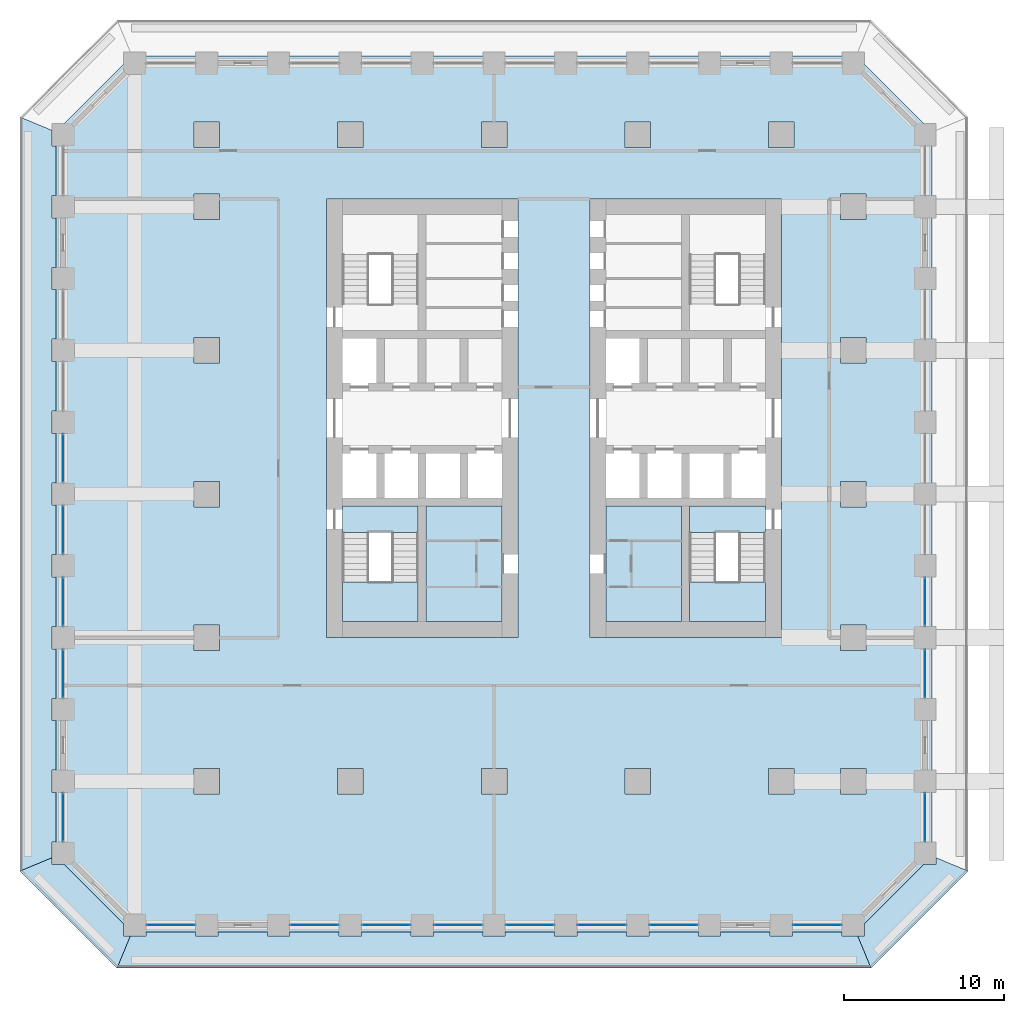
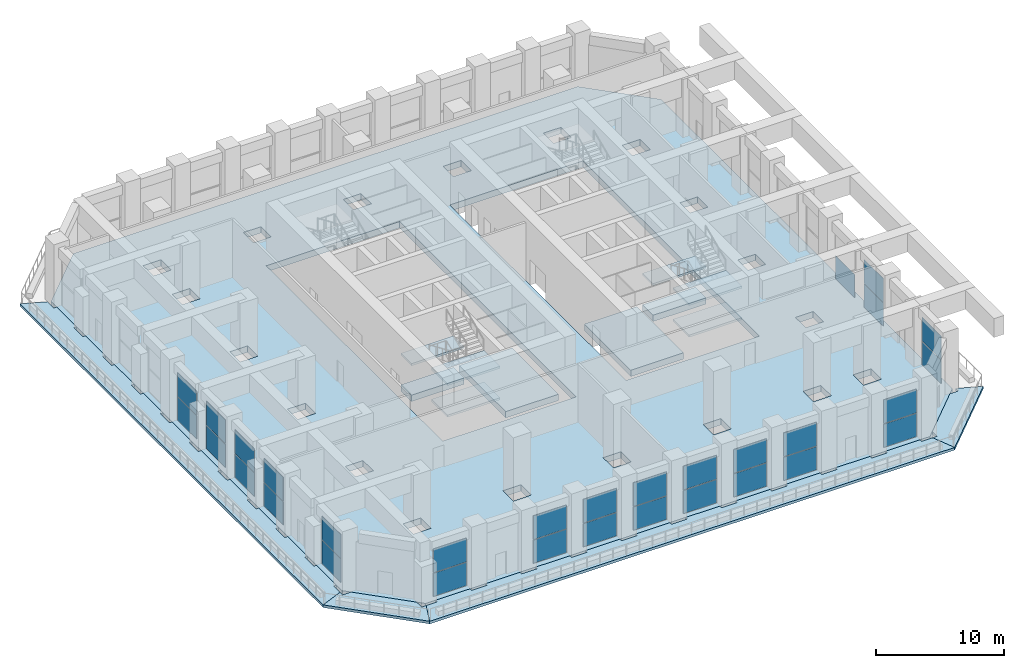
# One storey, part 10 of 21: 31 plates, 15 slabs, 18 elements without a shape of their own.
"""IFC4 building model written with IfcOpenShell, lengths in metres."""

from ifc_helpers import new_model, si_unit, direction, frame, origin, origin_2d, place, context, subcontext, project, spatial, polyline, rectangle, outline, extrude, material, layer, layer_set, type_object, element, aggregate, save


model = new_model("IFC4")

# Units and contexts
model_context = context("Model", 3, precision=1e-05, world=origin(), true_north=direction((0.0, 1.0)))
body_context = subcontext(model_context, "Body", "Model", "MODEL_VIEW")
ifc_project = project(units=[si_unit("LENGTHUNIT", "METRE"), si_unit("AREAUNIT", "SQUARE_METRE"), si_unit("VOLUMEUNIT", "CUBIC_METRE"), si_unit("PLANEANGLEUNIT", "RADIAN"), si_unit("MASSUNIT", "GRAM", prefix="KILO")], contexts=[model_context])

# Site, building, storey
site_placement = place(None, origin())
site = spatial("IfcSite", under=ifc_project, at=site_placement, CompositionType="ELEMENT")
building_placement = place(site_placement, origin())
building = spatial("IfcBuilding", under=site, at=building_placement, Name="Corbel Stack Research Tower", CompositionType="ELEMENT")
storey_placement = place(building_placement, frame((0.0, 0.0, 35.89990234375)))
storey = spatial("IfcBuildingStorey", under=building, at=storey_placement, Name="L08", CompositionType="ELEMENT", Elevation=35.89990234375)

# Curtain wall, plates
ifc_material_1 = material(Name="Aluminium frame, clear glass", Category="aluminium")
curtain_wall_type = type_object("IfcCurtainWallType", Name="Amenity floor curtain wall CW2", PredefinedType="NOTDEFINED", material=ifc_material_1)
curtain_wall_1_placement = place(storey_placement, origin())
curtain_wall_1 = element("IfcCurtainWall", 1, at=curtain_wall_1_placement, inside=storey, type_object=curtain_wall_type, Name="Curtain wall CW2 L08 S01", PredefinedType="NOTDEFINED")
ifc_material_2 = material(Name="Clear glass", Category="glass")
ifc_layer_1 = layer(ifc_material_2, 0.028076171875)
ifc_layer_set_1 = layer_set([ifc_layer_1], Name="Clear glass")
plate_type = type_object("IfcPlateType", Name="Clear glazing 28", PredefinedType="CURTAIN_PANEL", material=ifc_layer_set_1)
plate_1_placement = place(storey_placement, frame((-20.25, -27.0, 0.06005859375), z_axis=(0.0, 0.0, 1.0), x_axis=(1.0, 0.0, 0.0)))
plate_1 = element("IfcPlate", 2, at=plate_1_placement, type_object=plate_type, Name="CW2 L08 S01 panel 1.1", PredefinedType="CURTAIN_PANEL", context=body_context, shape_type="SweptSolid", body=[
    extrude(rectangle(XDim=2.97998046875, YDim=0.028076171875, at=origin_2d()), origin(), (0.0, 0.0, 1.0), 2.2099609375),
])
plate_2_placement = place(storey_placement, frame((-20.25, -27.0, 2.330078125), z_axis=(0.0, 0.0, 1.0), x_axis=(1.0, 0.0, 0.0)))
plate_2 = element("IfcPlate", 3, at=plate_2_placement, type_object=plate_type, Name="CW2 L08 S01 panel 1.2", PredefinedType="CURTAIN_PANEL", context=body_context, shape_type="SweptSolid", body=[
    extrude(rectangle(XDim=2.97998046875, YDim=0.028076171875, at=origin_2d()), origin(), (0.0, 0.0, 1.0), 2.260009765625),
])
aggregate(curtain_wall_1, [plate_1, plate_2])

curtain_wall_2_placement = place(storey_placement, origin())
curtain_wall_2 = element("IfcCurtainWall", 4, at=curtain_wall_2_placement, inside=storey, type_object=curtain_wall_type, Name="Curtain wall CW2 L08 S03", PredefinedType="NOTDEFINED")
plate_3_placement = place(storey_placement, frame((-11.25, -27.0, 0.06005859375), z_axis=(0.0, 0.0, 1.0), x_axis=(1.0, 0.0, 0.0)))
plate_3 = element("IfcPlate", 5, at=plate_3_placement, type_object=plate_type, Name="CW2 L08 S03 panel 1.1", PredefinedType="CURTAIN_PANEL", context=body_context, shape_type="SweptSolid", body=[
    extrude(rectangle(XDim=2.97998046875, YDim=0.028076171875, at=origin_2d()), origin(), (0.0, 0.0, 1.0), 2.2099609375),
])
plate_4_placement = place(storey_placement, frame((-11.25, -27.0, 2.330078125), z_axis=(0.0, 0.0, 1.0), x_axis=(1.0, 0.0, 0.0)))
plate_4 = element("IfcPlate", 6, at=plate_4_placement, type_object=plate_type, Name="CW2 L08 S03 panel 1.2", PredefinedType="CURTAIN_PANEL", context=body_context, shape_type="SweptSolid", body=[
    extrude(rectangle(XDim=2.97998046875, YDim=0.028076171875, at=origin_2d()), origin(), (0.0, 0.0, 1.0), 2.260009765625),
])
aggregate(curtain_wall_2, [plate_3, plate_4])

curtain_wall_3_placement = place(storey_placement, origin())
curtain_wall_3 = element("IfcCurtainWall", 7, at=curtain_wall_3_placement, inside=storey, type_object=curtain_wall_type, Name="Curtain wall CW2 L08 S04", PredefinedType="NOTDEFINED")
plate_5_placement = place(storey_placement, frame((-6.75, -27.0, 0.06005859375), z_axis=(0.0, 0.0, 1.0), x_axis=(1.0, 0.0, 0.0)))
plate_5 = element("IfcPlate", 8, at=plate_5_placement, type_object=plate_type, Name="CW2 L08 S04 panel 1.1", PredefinedType="CURTAIN_PANEL", context=body_context, shape_type="SweptSolid", body=[
    extrude(rectangle(XDim=2.97998046875, YDim=0.028076171875, at=origin_2d()), origin(), (0.0, 0.0, 1.0), 2.2099609375),
])
plate_6_placement = place(storey_placement, frame((-6.75, -27.0, 2.330078125), z_axis=(0.0, 0.0, 1.0), x_axis=(1.0, 0.0, 0.0)))
plate_6 = element("IfcPlate", 9, at=plate_6_placement, type_object=plate_type, Name="CW2 L08 S04 panel 1.2", PredefinedType="CURTAIN_PANEL", context=body_context, shape_type="SweptSolid", body=[
    extrude(rectangle(XDim=2.97998046875, YDim=0.028076171875, at=origin_2d()), origin(), (0.0, 0.0, 1.0), 2.260009765625),
])
aggregate(curtain_wall_3, [plate_5, plate_6])

curtain_wall_4_placement = place(storey_placement, origin())
curtain_wall_4 = element("IfcCurtainWall", 10, at=curtain_wall_4_placement, inside=storey, type_object=curtain_wall_type, Name="Curtain wall CW2 L08 S05", PredefinedType="NOTDEFINED")
plate_7_placement = place(storey_placement, frame((-2.25, -27.0, 0.06005859375), z_axis=(0.0, 0.0, 1.0), x_axis=(1.0, 0.0, 0.0)))
plate_7 = element("IfcPlate", 11, at=plate_7_placement, type_object=plate_type, Name="CW2 L08 S05 panel 1.1", PredefinedType="CURTAIN_PANEL", context=body_context, shape_type="SweptSolid", body=[
    extrude(rectangle(XDim=2.97998046875, YDim=0.028076171875, at=origin_2d()), origin(), (0.0, 0.0, 1.0), 2.2099609375),
])
plate_8_placement = place(storey_placement, frame((-2.25, -27.0, 2.330078125), z_axis=(0.0, 0.0, 1.0), x_axis=(1.0, 0.0, 0.0)))
plate_8 = element("IfcPlate", 12, at=plate_8_placement, type_object=plate_type, Name="CW2 L08 S05 panel 1.2", PredefinedType="CURTAIN_PANEL", context=body_context, shape_type="SweptSolid", body=[
    extrude(rectangle(XDim=2.97998046875, YDim=0.028076171875, at=origin_2d()), origin(), (0.0, 0.0, 1.0), 2.260009765625),
])
aggregate(curtain_wall_4, [plate_7, plate_8])

curtain_wall_5_placement = place(storey_placement, origin())
curtain_wall_5 = element("IfcCurtainWall", 13, at=curtain_wall_5_placement, inside=storey, type_object=curtain_wall_type, Name="Curtain wall CW2 L08 S06", PredefinedType="NOTDEFINED")
plate_9_placement = place(storey_placement, frame((2.25, -27.0, 0.06005859375), z_axis=(0.0, 0.0, 1.0), x_axis=(1.0, 0.0, 0.0)))
plate_9 = element("IfcPlate", 14, at=plate_9_placement, type_object=plate_type, Name="CW2 L08 S06 panel 1.1", PredefinedType="CURTAIN_PANEL", context=body_context, shape_type="SweptSolid", body=[
    extrude(rectangle(XDim=2.97998046875, YDim=0.028076171875, at=origin_2d()), origin(), (0.0, 0.0, 1.0), 2.2099609375),
])
plate_10_placement = place(storey_placement, frame((2.25, -27.0, 2.330078125), z_axis=(0.0, 0.0, 1.0), x_axis=(1.0, 0.0, 0.0)))
plate_10 = element("IfcPlate", 15, at=plate_10_placement, type_object=plate_type, Name="CW2 L08 S06 panel 1.2", PredefinedType="CURTAIN_PANEL", context=body_context, shape_type="SweptSolid", body=[
    extrude(rectangle(XDim=2.97998046875, YDim=0.028076171875, at=origin_2d()), origin(), (0.0, 0.0, 1.0), 2.260009765625),
])
aggregate(curtain_wall_5, [plate_9, plate_10])

curtain_wall_6_placement = place(storey_placement, origin())
curtain_wall_6 = element("IfcCurtainWall", 16, at=curtain_wall_6_placement, inside=storey, type_object=curtain_wall_type, Name="Curtain wall CW2 L08 S07", PredefinedType="NOTDEFINED")
plate_11_placement = place(storey_placement, frame((6.75, -27.0, 0.06005859375), z_axis=(0.0, 0.0, 1.0), x_axis=(1.0, 0.0, 0.0)))
plate_11 = element("IfcPlate", 17, at=plate_11_placement, type_object=plate_type, Name="CW2 L08 S07 panel 1.1", PredefinedType="CURTAIN_PANEL", context=body_context, shape_type="SweptSolid", body=[
    extrude(rectangle(XDim=2.97998046875, YDim=0.028076171875, at=origin_2d()), origin(), (0.0, 0.0, 1.0), 2.2099609375),
])
plate_12_placement = place(storey_placement, frame((6.75, -27.0, 2.330078125), z_axis=(0.0, 0.0, 1.0), x_axis=(1.0, 0.0, 0.0)))
plate_12 = element("IfcPlate", 18, at=plate_12_placement, type_object=plate_type, Name="CW2 L08 S07 panel 1.2", PredefinedType="CURTAIN_PANEL", context=body_context, shape_type="SweptSolid", body=[
    extrude(rectangle(XDim=2.97998046875, YDim=0.028076171875, at=origin_2d()), origin(), (0.0, 0.0, 1.0), 2.260009765625),
])
aggregate(curtain_wall_6, [plate_11, plate_12])

curtain_wall_7_placement = place(storey_placement, origin())
curtain_wall_7 = element("IfcCurtainWall", 19, at=curtain_wall_7_placement, inside=storey, type_object=curtain_wall_type, Name="Curtain wall CW2 L08 S08", PredefinedType="NOTDEFINED")
plate_13_placement = place(storey_placement, frame((11.25, -27.0, 0.06005859375), z_axis=(0.0, 0.0, 1.0), x_axis=(1.0, 0.0, 0.0)))
plate_13 = element("IfcPlate", 20, at=plate_13_placement, type_object=plate_type, Name="CW2 L08 S08 panel 1.1", PredefinedType="CURTAIN_PANEL", context=body_context, shape_type="SweptSolid", body=[
    extrude(rectangle(XDim=2.97998046875, YDim=0.028076171875, at=origin_2d()), origin(), (0.0, 0.0, 1.0), 2.2099609375),
])
plate_14_placement = place(storey_placement, frame((11.25, -27.0, 2.330078125), z_axis=(0.0, 0.0, 1.0), x_axis=(1.0, 0.0, 0.0)))
plate_14 = element("IfcPlate", 21, at=plate_14_placement, type_object=plate_type, Name="CW2 L08 S08 panel 1.2", PredefinedType="CURTAIN_PANEL", context=body_context, shape_type="SweptSolid", body=[
    extrude(rectangle(XDim=2.97998046875, YDim=0.028076171875, at=origin_2d()), origin(), (0.0, 0.0, 1.0), 2.260009765625),
])
aggregate(curtain_wall_7, [plate_13, plate_14])

curtain_wall_8_placement = place(storey_placement, origin())
curtain_wall_8 = element("IfcCurtainWall", 22, at=curtain_wall_8_placement, inside=storey, type_object=curtain_wall_type, Name="Curtain wall CW2 L08 S10", PredefinedType="NOTDEFINED")
plate_15_placement = place(storey_placement, frame((20.25, -27.0, 0.06005859375), z_axis=(0.0, 0.0, 1.0), x_axis=(1.0, 0.0, 0.0)))
plate_15 = element("IfcPlate", 23, at=plate_15_placement, type_object=plate_type, Name="CW2 L08 S10 panel 1.1", PredefinedType="CURTAIN_PANEL", context=body_context, shape_type="SweptSolid", body=[
    extrude(rectangle(XDim=2.97998046875, YDim=0.028076171875, at=origin_2d()), origin(), (0.0, 0.0, 1.0), 2.2099609375),
])
plate_16_placement = place(storey_placement, frame((20.25, -27.0, 2.330078125), z_axis=(0.0, 0.0, 1.0), x_axis=(1.0, 0.0, 0.0)))
plate_16 = element("IfcPlate", 24, at=plate_16_placement, type_object=plate_type, Name="CW2 L08 S10 panel 1.2", PredefinedType="CURTAIN_PANEL", context=body_context, shape_type="SweptSolid", body=[
    extrude(rectangle(XDim=2.97998046875, YDim=0.028076171875, at=origin_2d()), origin(), (0.0, 0.0, 1.0), 2.260009765625),
])
aggregate(curtain_wall_8, [plate_15, plate_16])

curtain_wall_9_placement = place(storey_placement, origin())
curtain_wall_9 = element("IfcCurtainWall", 25, at=curtain_wall_9_placement, inside=storey, type_object=curtain_wall_type, Name="Curtain wall CW2 L08 E01", PredefinedType="NOTDEFINED")
plate_17_placement = place(storey_placement, frame((27.0, -20.25, 0.06005859375), z_axis=(0.0, 0.0, 1.0), x_axis=(0.0, 1.0, 0.0)))
plate_17 = element("IfcPlate", 26, at=plate_17_placement, type_object=plate_type, Name="CW2 L08 E01 panel 1.1", PredefinedType="CURTAIN_PANEL", context=body_context, shape_type="SweptSolid", body=[
    extrude(rectangle(XDim=2.97998046875, YDim=0.028076171875, at=origin_2d()), origin(), (0.0, 0.0, 1.0), 2.2099609375),
])
plate_18_placement = place(storey_placement, frame((27.0, -20.25, 2.330078125), z_axis=(0.0, 0.0, 1.0), x_axis=(0.0, 1.0, 0.0)))
plate_18 = element("IfcPlate", 27, at=plate_18_placement, type_object=plate_type, Name="CW2 L08 E01 panel 1.2", PredefinedType="CURTAIN_PANEL", context=body_context, shape_type="SweptSolid", body=[
    extrude(rectangle(XDim=2.97998046875, YDim=0.028076171875, at=origin_2d()), origin(), (0.0, 0.0, 1.0), 2.260009765625),
])
aggregate(curtain_wall_9, [plate_17, plate_18])

curtain_wall_10_placement = place(storey_placement, origin())
curtain_wall_10 = element("IfcCurtainWall", 28, at=curtain_wall_10_placement, inside=storey, type_object=curtain_wall_type, Name="Curtain wall CW2 L08 E03", PredefinedType="NOTDEFINED")
plate_19_placement = place(storey_placement, frame((27.0, -11.25, 0.06005859375), z_axis=(0.0, 0.0, 1.0), x_axis=(0.0, 1.0, 0.0)))
plate_19 = element("IfcPlate", 29, at=plate_19_placement, type_object=plate_type, Name="CW2 L08 E03 panel 1.1", PredefinedType="CURTAIN_PANEL", context=body_context, shape_type="SweptSolid", body=[
    extrude(rectangle(XDim=2.97998046875, YDim=0.028076171875, at=origin_2d()), origin(), (0.0, 0.0, 1.0), 2.2099609375),
])
plate_20_placement = place(storey_placement, frame((27.0, -11.25, 2.330078125), z_axis=(0.0, 0.0, 1.0), x_axis=(0.0, 1.0, 0.0)))
plate_20 = element("IfcPlate", 30, at=plate_20_placement, type_object=plate_type, Name="CW2 L08 E03 panel 1.2", PredefinedType="CURTAIN_PANEL", context=body_context, shape_type="SweptSolid", body=[
    extrude(rectangle(XDim=2.97998046875, YDim=0.028076171875, at=origin_2d()), origin(), (0.0, 0.0, 1.0), 2.260009765625),
])
aggregate(curtain_wall_10, [plate_19, plate_20])

# Curtain wall, plate
curtain_wall_11_placement = place(storey_placement, origin())
curtain_wall_11 = element("IfcCurtainWall", 31, at=curtain_wall_11_placement, inside=storey, type_object=curtain_wall_type, Name="Curtain wall CW2 L08 E04", PredefinedType="NOTDEFINED")
plate_21_placement = place(storey_placement, frame((27.0, -6.75, 0.06005859375), z_axis=(0.0, 0.0, 1.0), x_axis=(0.0, 1.0, 0.0)))
plate_21 = element("IfcPlate", 32, at=plate_21_placement, type_object=plate_type, Name="CW2 L08 E04 panel 1.1", PredefinedType="CURTAIN_PANEL", context=body_context, shape_type="SweptSolid", body=[
    extrude(rectangle(XDim=2.97998046875, YDim=0.028076171875, at=origin_2d()), origin(), (0.0, 0.0, 1.0), 2.2099609375),
])
aggregate(curtain_wall_11, [plate_21])

# Curtain wall, plates
curtain_wall_12_placement = place(storey_placement, origin())
curtain_wall_12 = element("IfcCurtainWall", 33, at=curtain_wall_12_placement, inside=storey, type_object=curtain_wall_type, Name="Curtain wall CW2 L08 W05", PredefinedType="NOTDEFINED")
plate_22_placement = place(storey_placement, frame((-27.0, 2.25, 0.06005859375), z_axis=(0.0, 0.0, 1.0), x_axis=(0.0, -1.0, 0.0)))
plate_22 = element("IfcPlate", 34, at=plate_22_placement, type_object=plate_type, Name="CW2 L08 W05 panel 1.1", PredefinedType="CURTAIN_PANEL", context=body_context, shape_type="SweptSolid", body=[
    extrude(rectangle(XDim=2.97998046875, YDim=0.028076171875, at=origin_2d()), origin(), (0.0, 0.0, 1.0), 2.2099609375),
])
plate_23_placement = place(storey_placement, frame((-27.0, 2.25, 2.330078125), z_axis=(0.0, 0.0, 1.0), x_axis=(0.0, -1.0, 0.0)))
plate_23 = element("IfcPlate", 35, at=plate_23_placement, type_object=plate_type, Name="CW2 L08 W05 panel 1.2", PredefinedType="CURTAIN_PANEL", context=body_context, shape_type="SweptSolid", body=[
    extrude(rectangle(XDim=2.97998046875, YDim=0.028076171875, at=origin_2d()), origin(), (0.0, 0.0, 1.0), 2.260009765625),
])
aggregate(curtain_wall_12, [plate_22, plate_23])

curtain_wall_13_placement = place(storey_placement, origin())
curtain_wall_13 = element("IfcCurtainWall", 36, at=curtain_wall_13_placement, inside=storey, type_object=curtain_wall_type, Name="Curtain wall CW2 L08 W06", PredefinedType="NOTDEFINED")
plate_24_placement = place(storey_placement, frame((-27.0, -2.25, 0.06005859375), z_axis=(0.0, 0.0, 1.0), x_axis=(0.0, -1.0, 0.0)))
plate_24 = element("IfcPlate", 37, at=plate_24_placement, type_object=plate_type, Name="CW2 L08 W06 panel 1.1", PredefinedType="CURTAIN_PANEL", context=body_context, shape_type="SweptSolid", body=[
    extrude(rectangle(XDim=2.97998046875, YDim=0.028076171875, at=origin_2d()), origin(), (0.0, 0.0, 1.0), 2.2099609375),
])
plate_25_placement = place(storey_placement, frame((-27.0, -2.25, 2.330078125), z_axis=(0.0, 0.0, 1.0), x_axis=(0.0, -1.0, 0.0)))
plate_25 = element("IfcPlate", 38, at=plate_25_placement, type_object=plate_type, Name="CW2 L08 W06 panel 1.2", PredefinedType="CURTAIN_PANEL", context=body_context, shape_type="SweptSolid", body=[
    extrude(rectangle(XDim=2.97998046875, YDim=0.028076171875, at=origin_2d()), origin(), (0.0, 0.0, 1.0), 2.260009765625),
])
aggregate(curtain_wall_13, [plate_24, plate_25])

curtain_wall_14_placement = place(storey_placement, origin())
curtain_wall_14 = element("IfcCurtainWall", 39, at=curtain_wall_14_placement, inside=storey, type_object=curtain_wall_type, Name="Curtain wall CW2 L08 W07", PredefinedType="NOTDEFINED")
plate_26_placement = place(storey_placement, frame((-27.0, -6.75, 0.06005859375), z_axis=(0.0, 0.0, 1.0), x_axis=(0.0, -1.0, 0.0)))
plate_26 = element("IfcPlate", 40, at=plate_26_placement, type_object=plate_type, Name="CW2 L08 W07 panel 1.1", PredefinedType="CURTAIN_PANEL", context=body_context, shape_type="SweptSolid", body=[
    extrude(rectangle(XDim=2.97998046875, YDim=0.028076171875, at=origin_2d()), origin(), (0.0, 0.0, 1.0), 2.2099609375),
])
plate_27_placement = place(storey_placement, frame((-27.0, -6.75, 2.330078125), z_axis=(0.0, 0.0, 1.0), x_axis=(0.0, -1.0, 0.0)))
plate_27 = element("IfcPlate", 41, at=plate_27_placement, type_object=plate_type, Name="CW2 L08 W07 panel 1.2", PredefinedType="CURTAIN_PANEL", context=body_context, shape_type="SweptSolid", body=[
    extrude(rectangle(XDim=2.97998046875, YDim=0.028076171875, at=origin_2d()), origin(), (0.0, 0.0, 1.0), 2.260009765625),
])
aggregate(curtain_wall_14, [plate_26, plate_27])

curtain_wall_15_placement = place(storey_placement, origin())
curtain_wall_15 = element("IfcCurtainWall", 42, at=curtain_wall_15_placement, inside=storey, type_object=curtain_wall_type, Name="Curtain wall CW2 L08 W08", PredefinedType="NOTDEFINED")
plate_28_placement = place(storey_placement, frame((-27.0, -11.25, 0.06005859375), z_axis=(0.0, 0.0, 1.0), x_axis=(0.0, -1.0, 0.0)))
plate_28 = element("IfcPlate", 43, at=plate_28_placement, type_object=plate_type, Name="CW2 L08 W08 panel 1.1", PredefinedType="CURTAIN_PANEL", context=body_context, shape_type="SweptSolid", body=[
    extrude(rectangle(XDim=2.97998046875, YDim=0.028076171875, at=origin_2d()), origin(), (0.0, 0.0, 1.0), 2.2099609375),
])
plate_29_placement = place(storey_placement, frame((-27.0, -11.25, 2.330078125), z_axis=(0.0, 0.0, 1.0), x_axis=(0.0, -1.0, 0.0)))
plate_29 = element("IfcPlate", 44, at=plate_29_placement, type_object=plate_type, Name="CW2 L08 W08 panel 1.2", PredefinedType="CURTAIN_PANEL", context=body_context, shape_type="SweptSolid", body=[
    extrude(rectangle(XDim=2.97998046875, YDim=0.028076171875, at=origin_2d()), origin(), (0.0, 0.0, 1.0), 2.260009765625),
])
aggregate(curtain_wall_15, [plate_28, plate_29])

curtain_wall_16_placement = place(storey_placement, origin())
curtain_wall_16 = element("IfcCurtainWall", 45, at=curtain_wall_16_placement, inside=storey, type_object=curtain_wall_type, Name="Curtain wall CW2 L08 W10", PredefinedType="NOTDEFINED")
plate_30_placement = place(storey_placement, frame((-27.0, -20.25, 0.06005859375), z_axis=(0.0, 0.0, 1.0), x_axis=(0.0, -1.0, 0.0)))
plate_30 = element("IfcPlate", 46, at=plate_30_placement, type_object=plate_type, Name="CW2 L08 W10 panel 1.1", PredefinedType="CURTAIN_PANEL", context=body_context, shape_type="SweptSolid", body=[
    extrude(rectangle(XDim=2.97998046875, YDim=0.028076171875, at=origin_2d()), origin(), (0.0, 0.0, 1.0), 2.2099609375),
])
plate_31_placement = place(storey_placement, frame((-27.0, -20.25, 2.330078125), z_axis=(0.0, 0.0, 1.0), x_axis=(0.0, -1.0, 0.0)))
plate_31 = element("IfcPlate", 47, at=plate_31_placement, type_object=plate_type, Name="CW2 L08 W10 panel 1.2", PredefinedType="CURTAIN_PANEL", context=body_context, shape_type="SweptSolid", body=[
    extrude(rectangle(XDim=2.97998046875, YDim=0.028076171875, at=origin_2d()), origin(), (0.0, 0.0, 1.0), 2.260009765625),
])
aggregate(curtain_wall_16, [plate_30, plate_31])

# Slabs
ifc_material_3 = material(Name="Concrete C45/55", Category="concrete")
ifc_layer_2 = layer(ifc_material_3, 0.25)
ifc_layer_set_2 = layer_set([ifc_layer_2], Name="Concrete C45/55")
slab_type_1 = type_object("IfcSlabType", Name="PT balcony slab 250 C45/55", PredefinedType="FLOOR", material=ifc_layer_set_2)
slab_1_placement = place(storey_placement, frame((0.0, 0.0, -0.25)))
element("IfcSlab", 48, at=slab_1_placement, inside=storey, type_object=slab_type_1, Name="Loggia slab L08 S", PredefinedType="FLOOR", context=body_context, shape_type="SweptSolid", body=[
    extrude(outline(polyline([(22.789794921875, -27.699951171875), (21.800048828125, -27.699951171875), (21.800048828125, -27.449951171875), (18.699951171875, -27.449951171875), (18.699951171875, -27.699951171875), (17.300048828125, -27.699951171875), (17.300048828125, -27.449951171875), (14.199951171875, -27.449951171875), (14.199951171875, -27.699951171875), (12.800048828125, -27.699951171875), (12.800048828125, -27.449951171875), (9.699951171875, -27.449951171875), (9.699951171875, -27.699951171875), (8.300048828125, -27.699951171875), (8.300048828125, -27.449951171875), (5.199951171875, -27.449951171875), (5.199951171875, -27.699951171875), (3.800048828125, -27.699951171875), (3.800048828125, -27.449951171875), (0.699951171875, -27.449951171875), (0.699951171875, -27.699951171875), (-0.699951171875, -27.699951171875), (-0.699951171875, -27.449951171875), (-3.800048828125, -27.449951171875), (-3.800048828125, -27.699951171875), (-5.199951171875, -27.699951171875), (-5.199951171875, -27.449951171875), (-8.300048828125, -27.449951171875), (-8.300048828125, -27.699951171875), (-9.699951171875, -27.699951171875), (-9.699951171875, -27.449951171875), (-12.800048828125, -27.449951171875), (-12.800048828125, -27.699951171875), (-14.199951171875, -27.699951171875), (-14.199951171875, -27.449951171875), (-17.300048828125, -27.449951171875), (-17.300048828125, -27.699951171875), (-18.699951171875, -27.699951171875), (-18.699951171875, -27.449951171875), (-21.800048828125, -27.449951171875), (-21.800048828125, -27.699951171875), (-22.789794921875, -27.699951171875), (-23.618408203125, -29.699951171875), (23.618408203125, -29.699951171875), (22.789794921875, -27.699951171875)])), origin(), (0.0, 0.0, 1.0), 0.25),
])
slab_2_placement = place(storey_placement, frame((0.0, 0.0, -0.25)))
element("IfcSlab", 49, at=slab_2_placement, inside=storey, type_object=slab_type_1, Name="Loggia slab L08 SE", PredefinedType="FLOOR", context=body_context, shape_type="SweptSolid", body=[
    extrude(outline(polyline([(27.699951171875, -22.789794921875), (27.699951171875, -23.199951171875), (26.936279296875, -23.199951171875), (23.199951171875, -26.936279296875), (23.199951171875, -27.699951171875), (22.789794921875, -27.699951171875), (23.618408203125, -29.699951171875), (29.699951171875, -23.618408203125), (27.699951171875, -22.789794921875)])), origin(), (0.0, 0.0, 1.0), 0.25),
])
slab_3_placement = place(storey_placement, frame((0.0, 0.0, -0.25)))
element("IfcSlab", 50, at=slab_3_placement, inside=storey, type_object=slab_type_1, Name="Loggia slab L08 W", PredefinedType="FLOOR", context=body_context, shape_type="SweptSolid", body=[
    extrude(outline(polyline([(-27.699951171875, -22.789794921875), (-27.699951171875, -21.800048828125), (-27.449951171875, -21.800048828125), (-27.449951171875, -18.699951171875), (-27.699951171875, -18.699951171875), (-27.699951171875, -17.300048828125), (-27.449951171875, -17.300048828125), (-27.449951171875, -14.199951171875), (-27.699951171875, -14.199951171875), (-27.699951171875, -12.800048828125), (-27.449951171875, -12.800048828125), (-27.449951171875, -9.699951171875), (-27.699951171875, -9.699951171875), (-27.699951171875, -8.300048828125), (-27.449951171875, -8.300048828125), (-27.449951171875, -5.199951171875), (-27.699951171875, -5.199951171875), (-27.699951171875, -3.800048828125), (-27.449951171875, -3.800048828125), (-27.449951171875, -0.699951171875), (-27.699951171875, -0.699951171875), (-27.699951171875, 0.699951171875), (-27.449951171875, 0.699951171875), (-27.449951171875, 3.800048828125), (-27.699951171875, 3.800048828125), (-27.699951171875, 5.199951171875), (-27.449951171875, 5.199951171875), (-27.449951171875, 8.300048828125), (-27.699951171875, 8.300048828125), (-27.699951171875, 9.699951171875), (-27.449951171875, 9.699951171875), (-27.449951171875, 12.800048828125), (-27.699951171875, 12.800048828125), (-27.699951171875, 14.199951171875), (-27.449951171875, 14.199951171875), (-27.449951171875, 17.300048828125), (-27.699951171875, 17.300048828125), (-27.699951171875, 18.699951171875), (-27.449951171875, 18.699951171875), (-27.449951171875, 21.800048828125), (-27.699951171875, 21.800048828125), (-27.699951171875, 22.789794921875), (-29.699951171875, 23.618408203125), (-29.699951171875, -23.618408203125), (-27.699951171875, -22.789794921875)])), origin(), (0.0, 0.0, 1.0), 0.25),
])
slab_4_placement = place(storey_placement, frame((0.0, 0.0, -0.25)))
element("IfcSlab", 51, at=slab_4_placement, inside=storey, type_object=slab_type_1, Name="Loggia slab L08 SW", PredefinedType="FLOOR", context=body_context, shape_type="SweptSolid", body=[
    extrude(outline(polyline([(-22.789794921875, -27.699951171875), (-23.199951171875, -27.699951171875), (-23.199951171875, -26.936279296875), (-26.936279296875, -23.199951171875), (-27.699951171875, -23.199951171875), (-27.699951171875, -22.789794921875), (-29.699951171875, -23.618408203125), (-23.618408203125, -29.699951171875), (-22.789794921875, -27.699951171875)])), origin(), (0.0, 0.0, 1.0), 0.25),
])
ifc_material_4 = material(Name="Concrete C45/55", Category="concrete")
ifc_layer_3 = layer(ifc_material_4, 0.60009765625)
ifc_layer_set_3 = layer_set([ifc_layer_3], Name="Concrete C45/55")
slab_type_2 = type_object("IfcSlabType", Name="PT-600", PredefinedType="FLOOR", material=ifc_layer_set_3)
slab_5_placement = place(storey_placement, frame((0.0, 0.0, -0.599853515625)))
element("IfcSlab", 52, at=slab_5_placement, inside=storey, type_object=slab_type_2, Name="Floor slab L08", PredefinedType="FLOOR", context=body_context, shape_type="SweptSolid", body=[
    extrude(outline(polyline([(-22.686279296875, -27.449951171875), (22.686279296875, -27.449951171875), (27.449951171875, -22.686279296875), (27.449951171875, 22.686279296875), (22.686279296875, 27.449951171875), (-22.686279296875, 27.449951171875), (-27.449951171875, 22.686279296875), (-27.449951171875, -22.686279296875), (-22.686279296875, -27.449951171875)]), holes=[polyline([(23.300048828125, 17.199951171875), (21.699951171875, 17.199951171875), (21.699951171875, 18.800048828125), (23.300048828125, 18.800048828125), (23.300048828125, 17.199951171875)]), polyline([(21.699951171875, 8.199951171875), (21.699951171875, 9.800048828125), (23.300048828125, 9.800048828125), (23.300048828125, 8.199951171875), (21.699951171875, 8.199951171875)]), polyline([(23.300048828125, -0.800048828125), (21.699951171875, -0.800048828125), (21.699951171875, 0.800048828125), (23.300048828125, 0.800048828125), (23.300048828125, -0.800048828125)]), polyline([(21.699951171875, -9.800048828125), (21.699951171875, -8.199951171875), (23.300048828125, -8.199951171875), (23.300048828125, -9.800048828125), (21.699951171875, -9.800048828125)]), polyline([(21.699951171875, -18.800048828125), (21.699951171875, -17.199951171875), (23.300048828125, -17.199951171875), (23.300048828125, -18.800048828125), (21.699951171875, -18.800048828125)]), polyline([(17.199951171875, 21.699951171875), (17.199951171875, 23.300048828125), (18.800048828125, 23.300048828125), (18.800048828125, 21.699951171875), (17.199951171875, 21.699951171875)]), polyline([(18.800048828125, -18.800048828125), (17.199951171875, -18.800048828125), (17.199951171875, -17.199951171875), (18.800048828125, -17.199951171875), (18.800048828125, -18.800048828125)]), polyline([(6.0, -9.0), (6.0, 18.5), (18.0, 18.5), (18.0, -9.0), (6.0, -9.0)]), polyline([(8.199951171875, 21.699951171875), (8.199951171875, 23.300048828125), (9.800048828125, 23.300048828125), (9.800048828125, 21.699951171875), (8.199951171875, 21.699951171875)]), polyline([(9.800048828125, -18.800048828125), (8.199951171875, -18.800048828125), (8.199951171875, -17.199951171875), (9.800048828125, -17.199951171875), (9.800048828125, -18.800048828125)]), polyline([(1.5, -9.0), (-10.5, -9.0), (-10.5, 18.5), (1.5, 18.5), (1.5, -9.0)]), polyline([(0.800048828125, 21.699951171875), (-0.800048828125, 21.699951171875), (-0.800048828125, 23.300048828125), (0.800048828125, 23.300048828125), (0.800048828125, 21.699951171875)]), polyline([(0.800048828125, -18.800048828125), (-0.800048828125, -18.800048828125), (-0.800048828125, -17.199951171875), (0.800048828125, -17.199951171875), (0.800048828125, -18.800048828125)]), polyline([(-9.800048828125, 21.699951171875), (-9.800048828125, 23.300048828125), (-8.199951171875, 23.300048828125), (-8.199951171875, 21.699951171875), (-9.800048828125, 21.699951171875)]), polyline([(-8.199951171875, -18.800048828125), (-9.800048828125, -18.800048828125), (-9.800048828125, -17.199951171875), (-8.199951171875, -17.199951171875), (-8.199951171875, -18.800048828125)]), polyline([(-18.800048828125, 21.699951171875), (-18.800048828125, 23.300048828125), (-17.199951171875, 23.300048828125), (-17.199951171875, 21.699951171875), (-18.800048828125, 21.699951171875)]), polyline([(-17.199951171875, 17.199951171875), (-18.800048828125, 17.199951171875), (-18.800048828125, 18.800048828125), (-17.199951171875, 18.800048828125), (-17.199951171875, 17.199951171875)]), polyline([(-17.199951171875, 8.199951171875), (-18.800048828125, 8.199951171875), (-18.800048828125, 9.800048828125), (-17.199951171875, 9.800048828125), (-17.199951171875, 8.199951171875)]), polyline([(-18.800048828125, -0.800048828125), (-18.800048828125, 0.800048828125), (-17.199951171875, 0.800048828125), (-17.199951171875, -0.800048828125), (-18.800048828125, -0.800048828125)]), polyline([(-18.800048828125, -9.800048828125), (-18.800048828125, -8.199951171875), (-17.199951171875, -8.199951171875), (-17.199951171875, -9.800048828125), (-18.800048828125, -9.800048828125)]), polyline([(-17.199951171875, -18.800048828125), (-18.800048828125, -18.800048828125), (-18.800048828125, -17.199951171875), (-17.199951171875, -17.199951171875), (-17.199951171875, -18.800048828125)])]), origin(), (0.0, 0.0, 1.0), 0.599853515625),
])
slab_6_placement = place(storey_placement, frame((0.0, 0.0, -0.599853515625)))
element("IfcSlab", 53, at=slab_6_placement, inside=storey, type_object=slab_type_2, Name="West core floor L08", PredefinedType="FLOOR", context=body_context, shape_type="SweptSolid", body=[
    extrude(outline(polyline([(-4.25, -0.75), (-4.25, -8.0), (0.5, -8.0), (0.5, -0.75), (-4.25, -0.75)])), origin(), (0.0, 0.0, 1.0), 0.599853515625),
])
slab_7_placement = place(storey_placement, frame((0.0, 0.0, -0.599853515625)))
element("IfcSlab", 54, at=slab_7_placement, inside=storey, type_object=slab_type_2, Name="East core floor L08", PredefinedType="FLOOR", context=body_context, shape_type="SweptSolid", body=[
    extrude(outline(polyline([(7.0, -0.75), (7.0, -8.0), (11.75, -8.0), (11.75, -0.75), (7.0, -0.75)])), origin(), (0.0, 0.0, 1.0), 0.599853515625),
])
slab_8_placement = place(storey_placement, frame((0.0, 0.0, -0.599853515625)))
element("IfcSlab", 55, at=slab_8_placement, inside=storey, type_object=slab_type_2, Name="Stair floor landing ST-W1", PredefinedType="FLOOR", context=body_context, shape_type="SweptSolid", body=[
    extrude(outline(polyline([(-9.5, -2.39990234375), (-4.75, -2.39990234375), (-4.75, -0.75), (-9.5, -0.75), (-9.5, -2.39990234375)])), origin(), (0.0, 0.0, 1.0), 0.599853515625),
])
slab_9_placement = place(storey_placement, frame((0.0, 0.0, -0.599853515625)))
element("IfcSlab", 56, at=slab_9_placement, inside=storey, type_object=slab_type_2, Name="Stair floor landing ST-E1", PredefinedType="FLOOR", context=body_context, shape_type="SweptSolid", body=[
    extrude(outline(polyline([(12.25, -2.39990234375), (17.0, -2.39990234375), (17.0, -0.75), (12.25, -0.75), (12.25, -2.39990234375)])), origin(), (0.0, 0.0, 1.0), 0.599853515625),
])

# Stair, slabs
ifc_material_5 = material(Name="Concrete C40/50", Category="concrete")
stair_type = type_object("IfcStairType", Name="Exit stair 36 risers, 388 going", PredefinedType="HALF_TURN_STAIR", material=ifc_material_5)
stair_1_placement = place(storey_placement, origin())
stair_1 = element("IfcStair", 57, at=stair_1_placement, inside=storey, type_object=stair_type, Name="L08 Exit stair ST-W1", PredefinedType="HALF_TURN_STAIR")
ifc_material_6 = material(Name="Concrete C40/50", Category="concrete")
ifc_layer_4 = layer(ifc_material_6, 0.199951171875)
ifc_layer_set_4 = layer_set([ifc_layer_4], Name="Concrete C40/50")
slab_type_3 = type_object("IfcSlabType", Name="Stair landing 200 C40/50", PredefinedType="LANDING", material=ifc_layer_set_4)
slab_10_placement = place(storey_placement, frame((0.0, 0.0, 1.300048828125)))
slab_10 = element("IfcSlab", 58, at=slab_10_placement, type_object=slab_type_3, Name="ST-W1 landing 1", PredefinedType="LANDING", context=body_context, shape_type="SweptSolid", body=[
    extrude(outline(polyline([(-9.5, -8.0), (-9.5, -5.50390625), (-4.75, -5.50390625), (-4.75, -8.0), (-9.5, -8.0)])), origin(), (0.0, 0.0, 1.0), 0.199951171875),
])
slab_11_placement = place(storey_placement, frame((0.0, 0.0, 2.800048828125)))
slab_11 = element("IfcSlab", 59, at=slab_11_placement, type_object=slab_type_3, Name="ST-W1 landing 2", PredefinedType="LANDING", context=body_context, shape_type="SweptSolid", body=[
    extrude(outline(polyline([(-9.5, -2.39990234375), (-9.5, -0.75), (-4.75, -0.75), (-4.75, -2.39990234375), (-9.5, -2.39990234375)])), origin(), (0.0, 0.0, 1.0), 0.199951171875),
])
slab_12_placement = place(storey_placement, frame((0.0, 0.0, 4.300048828125)))
slab_12 = element("IfcSlab", 60, at=slab_12_placement, type_object=slab_type_3, Name="ST-W1 landing 3", PredefinedType="LANDING", context=body_context, shape_type="SweptSolid", body=[
    extrude(outline(polyline([(-9.5, -8.0), (-9.5, -5.50390625), (-4.75, -5.50390625), (-4.75, -8.0), (-9.5, -8.0)])), origin(), (0.0, 0.0, 1.0), 0.199951171875),
])
aggregate(stair_1, [slab_10, slab_11, slab_12])

stair_2_placement = place(storey_placement, origin())
stair_2 = element("IfcStair", 61, at=stair_2_placement, inside=storey, type_object=stair_type, Name="L08 Exit stair ST-E1", PredefinedType="HALF_TURN_STAIR")
slab_13_placement = place(storey_placement, frame((0.0, 0.0, 1.300048828125)))
slab_13 = element("IfcSlab", 62, at=slab_13_placement, type_object=slab_type_3, Name="ST-E1 landing 1", PredefinedType="LANDING", context=body_context, shape_type="SweptSolid", body=[
    extrude(outline(polyline([(12.25, -8.0), (12.25, -5.50390625), (17.0, -5.50390625), (17.0, -8.0), (12.25, -8.0)])), origin(), (0.0, 0.0, 1.0), 0.199951171875),
])
slab_14_placement = place(storey_placement, frame((0.0, 0.0, 2.800048828125)))
slab_14 = element("IfcSlab", 63, at=slab_14_placement, type_object=slab_type_3, Name="ST-E1 landing 2", PredefinedType="LANDING", context=body_context, shape_type="SweptSolid", body=[
    extrude(outline(polyline([(12.25, -2.39990234375), (12.25, -0.75), (17.0, -0.75), (17.0, -2.39990234375), (12.25, -2.39990234375)])), origin(), (0.0, 0.0, 1.0), 0.199951171875),
])
slab_15_placement = place(storey_placement, frame((0.0, 0.0, 4.300048828125)))
slab_15 = element("IfcSlab", 64, at=slab_15_placement, type_object=slab_type_3, Name="ST-E1 landing 3", PredefinedType="LANDING", context=body_context, shape_type="SweptSolid", body=[
    extrude(outline(polyline([(12.25, -8.0), (12.25, -5.50390625), (17.0, -5.50390625), (17.0, -8.0), (12.25, -8.0)])), origin(), (0.0, 0.0, 1.0), 0.199951171875),
])
aggregate(stair_2, [slab_13, slab_14, slab_15])

save(model, "model.ifc")
